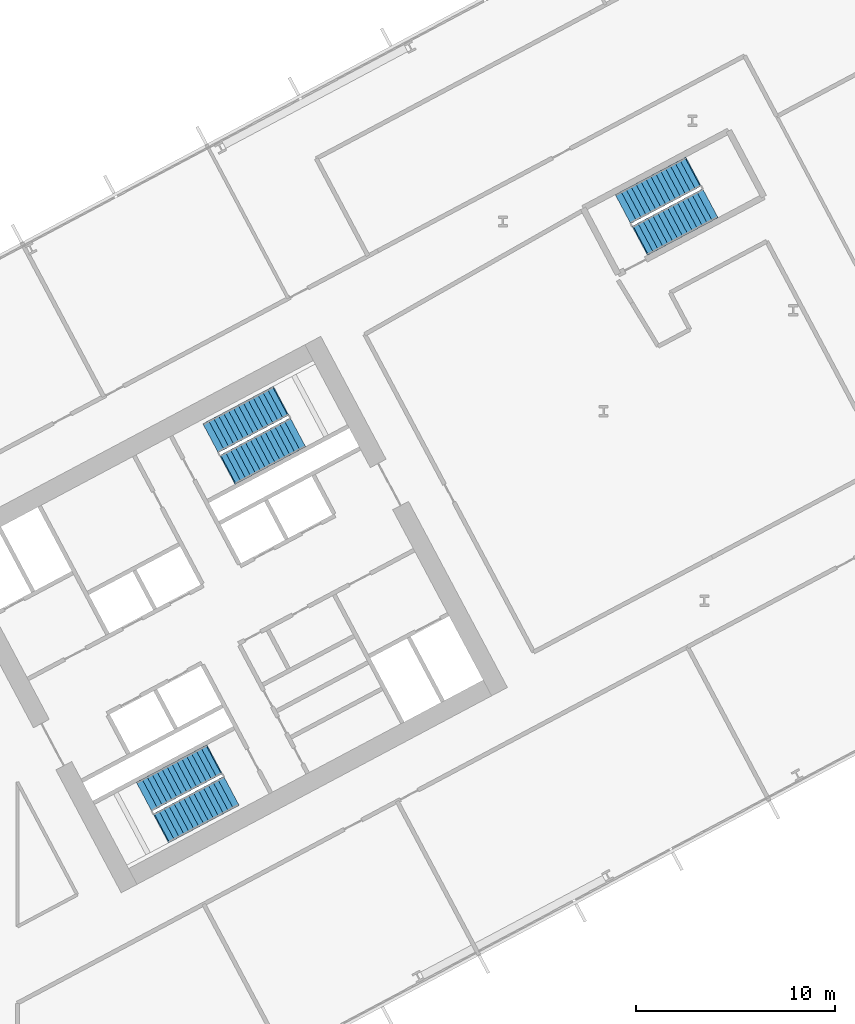
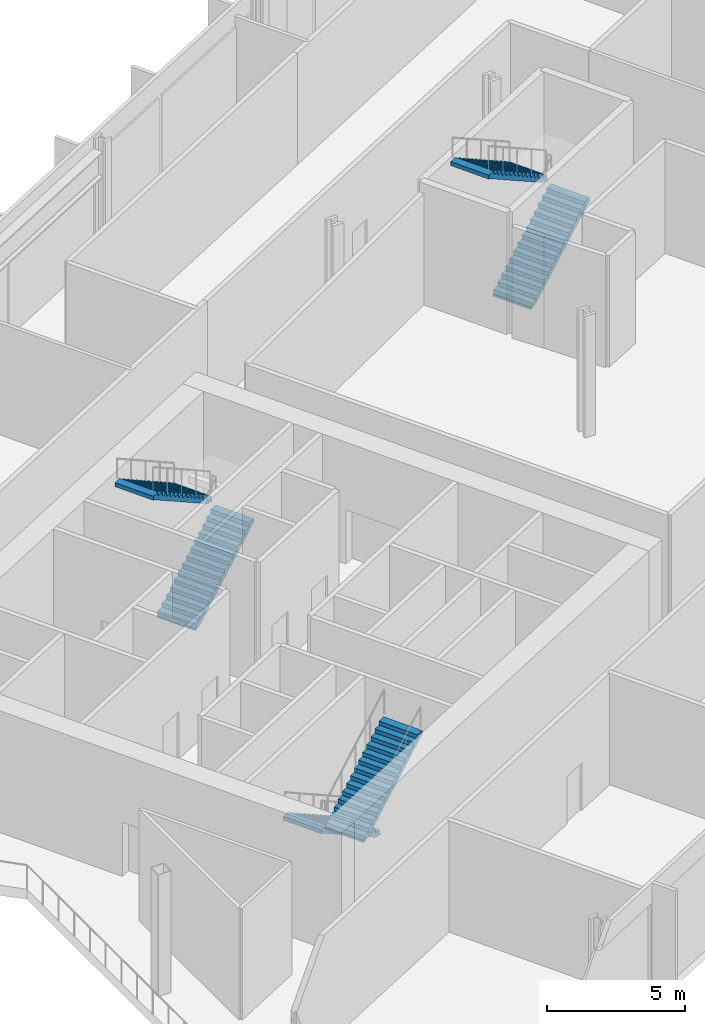
# One storey, part 18 of 31: 6 stair flights, 3 elements without a shape of their own.
"""IFC4 building model written with IfcOpenShell, lengths in metres."""

from ifc_helpers import new_model, si_unit, direction, frame, origin, place, context, subcontext, project, spatial, polyline, outline, extrude, material, type_object, element, aggregate, save


model = new_model("IFC4")

# Units and contexts
model_context = context("Model", 3, precision=1e-05, world=origin(), true_north=direction((0.0, 1.0)))
body_context = subcontext(model_context, "Body", "Model", "MODEL_VIEW")
ifc_project = project(units=[si_unit("LENGTHUNIT", "METRE"), si_unit("AREAUNIT", "SQUARE_METRE"), si_unit("VOLUMEUNIT", "CUBIC_METRE"), si_unit("PLANEANGLEUNIT", "RADIAN"), si_unit("MASSUNIT", "GRAM", prefix="KILO")], contexts=[model_context])

# Site, building, storey
site_placement = place(None, origin())
site = spatial("IfcSite", under=ifc_project, at=site_placement, CompositionType="ELEMENT")
building_placement = place(site_placement, origin())
building = spatial("IfcBuilding", under=site, at=building_placement, Name="Cormorant Relay Tower", CompositionType="ELEMENT")
storey_placement = place(building_placement, frame((0.0, 0.0, 50.0)))
storey = spatial("IfcBuildingStorey", under=building, at=storey_placement, Name="L09", CompositionType="ELEMENT", Elevation=50.0)

# Stair, stair flights
ifc_material_1 = material(Name="Concrete 40 MPa", Category="concrete")
stair_type = type_object("IfcStairType", Name="Exit stair 1500", PredefinedType="HALF_TURN_STAIR", material=ifc_material_1)
stair_1_placement = place(storey_placement, origin())
stair_1 = element("IfcStair", 1, at=stair_1_placement, inside=storey, type_object=stair_type, Name="L09 Stair", PredefinedType="HALF_TURN_STAIR")
ifc_material_2 = material(Name="Concrete 40 MPa", Category="concrete")
stair_flight_type = type_object("IfcStairFlightType", Name="Exit stair flight 1650", PredefinedType="STRAIGHT", material=ifc_material_2)
stair_flight_1_placement = place(storey_placement, frame((23.474365234375, 5.374755859375, 0.0), z_axis=(0.0, 0.0, 1.0), x_axis=(-0.882947592859, -0.469471562786, 0.0)))
stair_flight_1 = element("IfcStairFlight", 2, at=stair_flight_1_placement, type_object=stair_flight_type, Name="B1 flight 1", NumberOfRisers=15, NumberOfTreads=14, PredefinedType="STRAIGHT", RiserHeight=0.18, TreadLength=0.28, context=body_context, shape_type="SweptSolid", body=[
    extrude(outline(polyline([(-0.050048828125, -0.080078125), (-0.050048828125, 0.0), (0.0, 0.0), (0.0, 0.179931640625), (0.280029296875, 0.179931640625), (0.280029296875, 0.360107421875), (0.56005859375, 0.360107421875), (0.56005859375, 0.5400390625), (0.840087890625, 0.5400390625), (0.840087890625, 0.719970703125), (1.1201171875, 0.719970703125), (1.1201171875, 0.89990234375), (1.39990234375, 0.89990234375), (1.39990234375, 1.080078125), (1.679931640625, 1.080078125), (1.679931640625, 1.260009765625), (1.9599609375, 1.260009765625), (1.9599609375, 1.43994140625), (2.239990234375, 1.43994140625), (2.239990234375, 1.6201171875), (2.52001953125, 1.6201171875), (2.52001953125, 1.800048828125), (2.800048828125, 1.800048828125), (2.800048828125, 1.97998046875), (3.080078125, 1.97998046875), (3.080078125, 2.159912109375), (3.360107421875, 2.159912109375), (3.360107421875, 2.340087890625), (3.639892578125, 2.340087890625), (3.639892578125, 2.52001953125), (3.919921875, 2.52001953125), (3.969970703125, 2.52001953125), (3.969970703125, 2.341796875), (3.919921875, 2.341796875), (0.277099609375, 0.0), (-0.050048828125, -0.080078125)])), frame((0.0, 0.824951171875, 0.0), z_axis=(0.0, -1.0, 0.0), x_axis=(1.0, 0.0, 0.0)), (0.0, 0.0, 1.0), 1.64990234375),
])
stair_flight_2_placement = place(storey_placement, frame((20.8583984375, 1.945068359375, 2.699951171875), z_axis=(0.0, 0.0, 1.0), x_axis=(0.882947592859, 0.469471562786, 0.0)))
stair_flight_2 = element("IfcStairFlight", 3, at=stair_flight_2_placement, type_object=stair_flight_type, Name="B1 flight 2", NumberOfRisers=15, NumberOfTreads=14, PredefinedType="STRAIGHT", RiserHeight=0.18, TreadLength=0.28, context=body_context, shape_type="SweptSolid", body=[
    extrude(outline(polyline([(-0.050048828125, -0.080078125), (-0.050048828125, 0.0), (0.0, 0.0), (0.0, 0.179931640625), (0.280029296875, 0.179931640625), (0.280029296875, 0.360107421875), (0.56005859375, 0.360107421875), (0.56005859375, 0.5400390625), (0.840087890625, 0.5400390625), (0.840087890625, 0.719970703125), (1.1201171875, 0.719970703125), (1.1201171875, 0.89990234375), (1.39990234375, 0.89990234375), (1.39990234375, 1.080078125), (1.679931640625, 1.080078125), (1.679931640625, 1.260009765625), (1.9599609375, 1.260009765625), (1.9599609375, 1.43994140625), (2.239990234375, 1.43994140625), (2.239990234375, 1.6201171875), (2.52001953125, 1.6201171875), (2.52001953125, 1.800048828125), (2.800048828125, 1.800048828125), (2.800048828125, 1.97998046875), (3.080078125, 1.97998046875), (3.080078125, 2.159912109375), (3.360107421875, 2.159912109375), (3.360107421875, 2.340087890625), (3.639892578125, 2.340087890625), (3.639892578125, 2.52001953125), (3.919921875, 2.52001953125), (3.969970703125, 2.52001953125), (3.969970703125, 2.341796875), (3.919921875, 2.341796875), (0.277099609375, 0.0), (-0.050048828125, -0.080078125)])), frame((0.0, 0.824951171875, 0.0), z_axis=(0.0, -1.0, 0.0), x_axis=(1.0, 0.0, 0.0)), (0.0, 0.0, 1.0), 1.64990234375),
])
aggregate(stair_1, [stair_flight_1, stair_flight_2])

stair_2_placement = place(storey_placement, origin())
stair_2 = element("IfcStair", 4, at=stair_2_placement, inside=storey, type_object=stair_type, Name="L09 Stair", PredefinedType="HALF_TURN_STAIR")
stair_flight_3_placement = place(storey_placement, frame((24.20458984375, 19.976806640625, 0.0), z_axis=(0.0, 0.0, 1.0), x_axis=(0.882947592859, 0.469471562786, 0.0)))
stair_flight_3 = element("IfcStairFlight", 5, at=stair_flight_3_placement, type_object=stair_flight_type, Name="B2 flight 1", NumberOfRisers=15, NumberOfTreads=14, PredefinedType="STRAIGHT", RiserHeight=0.18, TreadLength=0.28, context=body_context, shape_type="SweptSolid", body=[
    extrude(outline(polyline([(-0.050048828125, -0.080078125), (-0.050048828125, 0.0), (0.0, 0.0), (0.0, 0.179931640625), (0.280029296875, 0.179931640625), (0.280029296875, 0.360107421875), (0.56005859375, 0.360107421875), (0.56005859375, 0.5400390625), (0.840087890625, 0.5400390625), (0.840087890625, 0.719970703125), (1.1201171875, 0.719970703125), (1.1201171875, 0.89990234375), (1.39990234375, 0.89990234375), (1.39990234375, 1.080078125), (1.679931640625, 1.080078125), (1.679931640625, 1.260009765625), (1.9599609375, 1.260009765625), (1.9599609375, 1.43994140625), (2.239990234375, 1.43994140625), (2.239990234375, 1.6201171875), (2.52001953125, 1.6201171875), (2.52001953125, 1.800048828125), (2.800048828125, 1.800048828125), (2.800048828125, 1.97998046875), (3.080078125, 1.97998046875), (3.080078125, 2.159912109375), (3.360107421875, 2.159912109375), (3.360107421875, 2.340087890625), (3.639892578125, 2.340087890625), (3.639892578125, 2.52001953125), (3.919921875, 2.52001953125), (3.969970703125, 2.52001953125), (3.969970703125, 2.341796875), (3.919921875, 2.341796875), (0.277099609375, 0.0), (-0.050048828125, -0.080078125)])), frame((0.0, 0.824951171875, 0.0), z_axis=(0.0, -1.0, 0.0), x_axis=(1.0, 0.0, 0.0)), (0.0, 0.0, 1.0), 1.64990234375),
])
stair_flight_4_placement = place(storey_placement, frame((26.82080078125, 23.406494140625, 2.699951171875), z_axis=(0.0, 0.0, 1.0), x_axis=(-0.882947592859, -0.469471562786, 0.0)))
stair_flight_4 = element("IfcStairFlight", 6, at=stair_flight_4_placement, type_object=stair_flight_type, Name="B2 flight 2", NumberOfRisers=15, NumberOfTreads=14, PredefinedType="STRAIGHT", RiserHeight=0.18, TreadLength=0.28, context=body_context, shape_type="SweptSolid", body=[
    extrude(outline(polyline([(-0.050048828125, -0.080078125), (-0.050048828125, 0.0), (0.0, 0.0), (0.0, 0.179931640625), (0.280029296875, 0.179931640625), (0.280029296875, 0.360107421875), (0.56005859375, 0.360107421875), (0.56005859375, 0.5400390625), (0.840087890625, 0.5400390625), (0.840087890625, 0.719970703125), (1.1201171875, 0.719970703125), (1.1201171875, 0.89990234375), (1.39990234375, 0.89990234375), (1.39990234375, 1.080078125), (1.679931640625, 1.080078125), (1.679931640625, 1.260009765625), (1.9599609375, 1.260009765625), (1.9599609375, 1.43994140625), (2.239990234375, 1.43994140625), (2.239990234375, 1.6201171875), (2.52001953125, 1.6201171875), (2.52001953125, 1.800048828125), (2.800048828125, 1.800048828125), (2.800048828125, 1.97998046875), (3.080078125, 1.97998046875), (3.080078125, 2.159912109375), (3.360107421875, 2.159912109375), (3.360107421875, 2.340087890625), (3.639892578125, 2.340087890625), (3.639892578125, 2.52001953125), (3.919921875, 2.52001953125), (3.969970703125, 2.52001953125), (3.969970703125, 2.341796875), (3.919921875, 2.341796875), (0.277099609375, 0.0), (-0.050048828125, -0.080078125)])), frame((0.0, 0.824951171875, 0.0), z_axis=(0.0, -1.0, 0.0), x_axis=(1.0, 0.0, 0.0)), (0.0, 0.0, 1.0), 1.64990234375),
])
aggregate(stair_2, [stair_flight_3, stair_flight_4])

stair_3_placement = place(storey_placement, origin())
stair_3 = element("IfcStair", 7, at=stair_3_placement, inside=storey, type_object=stair_type, Name="L09 Stair", PredefinedType="HALF_TURN_STAIR")
stair_flight_5_placement = place(storey_placement, frame((44.947509765625, 31.502197265625, 0.0), z_axis=(0.0, 0.0, 1.0), x_axis=(0.882947502727, 0.4694717323, 0.0)))
stair_flight_5 = element("IfcStairFlight", 8, at=stair_flight_5_placement, type_object=stair_flight_type, Name="RB1 flight 1", NumberOfRisers=15, NumberOfTreads=14, PredefinedType="STRAIGHT", RiserHeight=0.18, TreadLength=0.28, context=body_context, shape_type="SweptSolid", body=[
    extrude(outline(polyline([(-0.050048828125, -0.080078125), (-0.050048828125, 0.0), (0.0, 0.0), (0.0, 0.179931640625), (0.280029296875, 0.179931640625), (0.280029296875, 0.360107421875), (0.56005859375, 0.360107421875), (0.56005859375, 0.5400390625), (0.840087890625, 0.5400390625), (0.840087890625, 0.719970703125), (1.1201171875, 0.719970703125), (1.1201171875, 0.89990234375), (1.39990234375, 0.89990234375), (1.39990234375, 1.080078125), (1.679931640625, 1.080078125), (1.679931640625, 1.260009765625), (1.9599609375, 1.260009765625), (1.9599609375, 1.43994140625), (2.239990234375, 1.43994140625), (2.239990234375, 1.6201171875), (2.52001953125, 1.6201171875), (2.52001953125, 1.800048828125), (2.800048828125, 1.800048828125), (2.800048828125, 1.97998046875), (3.080078125, 1.97998046875), (3.080078125, 2.159912109375), (3.360107421875, 2.159912109375), (3.360107421875, 2.340087890625), (3.639892578125, 2.340087890625), (3.639892578125, 2.52001953125), (3.919921875, 2.52001953125), (3.969970703125, 2.52001953125), (3.969970703125, 2.341796875), (3.919921875, 2.341796875), (0.277099609375, 0.0), (-0.050048828125, -0.080078125)])), frame((0.0, 0.824951171875, 0.0), z_axis=(0.0, -1.0, 0.0), x_axis=(1.0, 0.0, 0.0)), (0.0, 0.0, 1.0), 1.64990234375),
])
stair_flight_6_placement = place(storey_placement, frame((47.563720703125, 34.931640625, 2.699951171875), z_axis=(0.0, 0.0, 1.0), x_axis=(-0.882947502727, -0.4694717323, 0.0)))
stair_flight_6 = element("IfcStairFlight", 9, at=stair_flight_6_placement, type_object=stair_flight_type, Name="RB1 flight 2", NumberOfRisers=15, NumberOfTreads=14, PredefinedType="STRAIGHT", RiserHeight=0.18, TreadLength=0.28, context=body_context, shape_type="SweptSolid", body=[
    extrude(outline(polyline([(-0.050048828125, -0.080078125), (-0.050048828125, 0.0), (0.0, 0.0), (0.0, 0.179931640625), (0.280029296875, 0.179931640625), (0.280029296875, 0.360107421875), (0.56005859375, 0.360107421875), (0.56005859375, 0.5400390625), (0.840087890625, 0.5400390625), (0.840087890625, 0.719970703125), (1.1201171875, 0.719970703125), (1.1201171875, 0.89990234375), (1.39990234375, 0.89990234375), (1.39990234375, 1.080078125), (1.679931640625, 1.080078125), (1.679931640625, 1.260009765625), (1.9599609375, 1.260009765625), (1.9599609375, 1.43994140625), (2.239990234375, 1.43994140625), (2.239990234375, 1.6201171875), (2.52001953125, 1.6201171875), (2.52001953125, 1.800048828125), (2.800048828125, 1.800048828125), (2.800048828125, 1.97998046875), (3.080078125, 1.97998046875), (3.080078125, 2.159912109375), (3.360107421875, 2.159912109375), (3.360107421875, 2.340087890625), (3.639892578125, 2.340087890625), (3.639892578125, 2.52001953125), (3.919921875, 2.52001953125), (3.969970703125, 2.52001953125), (3.969970703125, 2.341796875), (3.919921875, 2.341796875), (0.277099609375, 0.0), (-0.050048828125, -0.080078125)])), frame((0.0, 0.824951171875, 0.0), z_axis=(0.0, -1.0, 0.0), x_axis=(1.0, 0.0, 0.0)), (0.0, 0.0, 1.0), 1.64990234375),
])
aggregate(stair_3, [stair_flight_5, stair_flight_6])

save(model, "model.ifc")
